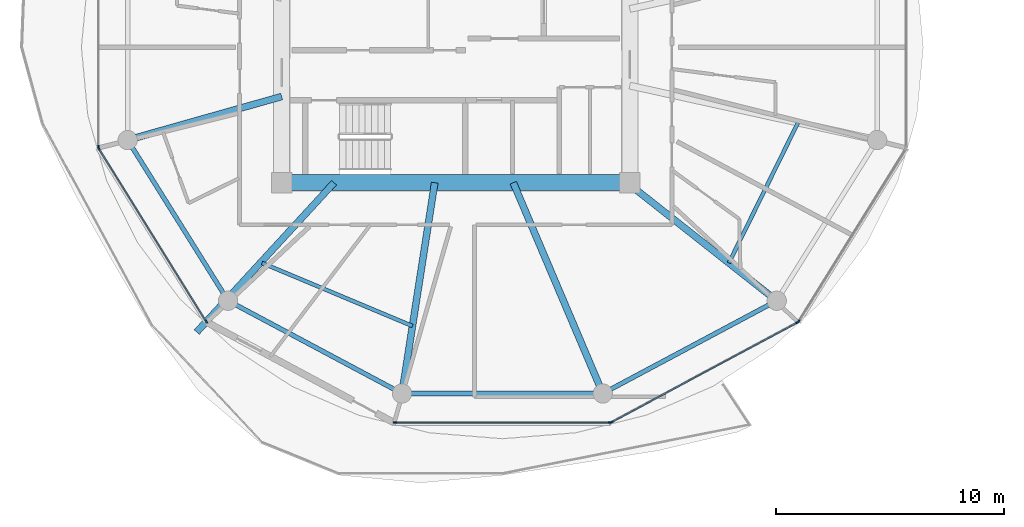
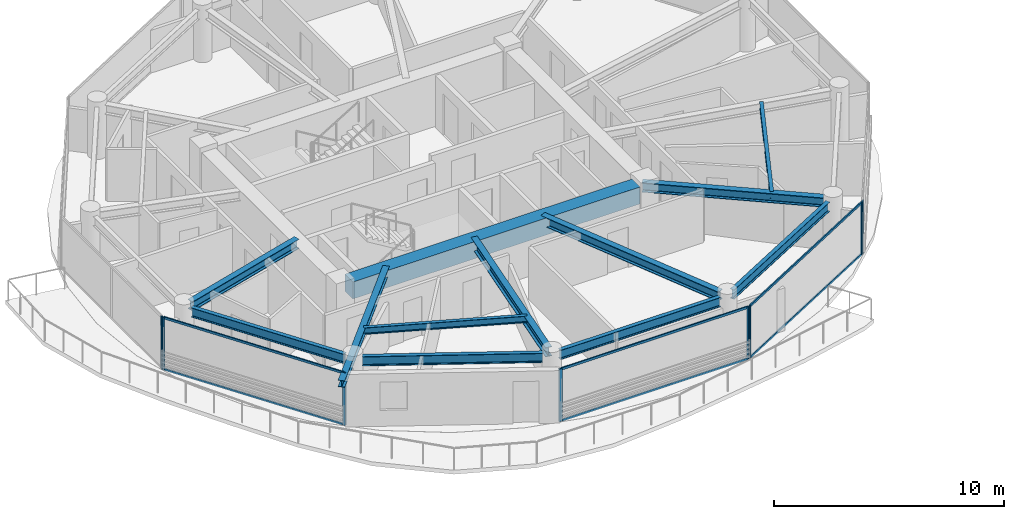
# One storey, part 2 of 24: 14 members, 12 beams, 5 elements without a shape of their own.
"""IFC4 building model written with IfcOpenShell, lengths in metres."""

from ifc_helpers import new_model, si_unit, direction, frame, origin, origin_2d, place, context, subcontext, project, spatial, rectangle, i_section, extrude, source, transform, mapped, material, layer, layer_set, material_profile, profile_set, type_object, type_shapes, element, aggregate, save


model = new_model("IFC4")

# Units and contexts
model_context = context("Model", 3, precision=1e-05, world=origin(), true_north=direction((0.0, 1.0)))
body_context = subcontext(model_context, "Body", "Model", "MODEL_VIEW")
ifc_project = project(units=[si_unit("LENGTHUNIT", "METRE"), si_unit("AREAUNIT", "SQUARE_METRE"), si_unit("VOLUMEUNIT", "CUBIC_METRE"), si_unit("PLANEANGLEUNIT", "RADIAN"), si_unit("MASSUNIT", "GRAM", prefix="KILO")], contexts=[model_context])

# Site, building, storey
site_placement = place(None, origin())
site = spatial("IfcSite", under=ifc_project, at=site_placement, CompositionType="ELEMENT")
building_placement = place(site_placement, origin())
building = spatial("IfcBuilding", under=site, at=building_placement, Name="Norrkilde Senior Care Towers", CompositionType="ELEMENT")
storey_placement = place(building_placement, frame((0.0, 0.0, 105.39990234375)))
storey = spatial("IfcBuildingStorey", under=building, at=storey_placement, Name="L32", CompositionType="ELEMENT", Elevation=105.39990234375)

# Beams
ifc_material_1 = material(Name="Concrete C60/75", Category="concrete")
ifc_material_profile_1 = material_profile(ifc_material_1, rectangle(XDim=0.699951171875, YDim=0.89990234375, at=origin_2d()), Name="RC BM 700x900")
ifc_profile_set_1 = profile_set([ifc_material_profile_1], Name="Concrete C60/75")
beam_type_1 = type_object("IfcBeamType", Name="Core Coupling Girder 700x900", PredefinedType="USERDEFINED", material=ifc_profile_set_1)
shared_shape_1 = source(origin(), body_context, "Body", "SweptSolid", [
    extrude(rectangle(XDim=0.699951171875, YDim=0.89990234375, at=origin_2d()), origin(), (0.0, 0.0, 1.0), 14.43994140625),
])
type_shapes(beam_type_1, [shared_shape_1])
beam_1_placement = place(storey_placement, frame((-35.219970703125, -5.949951171875, 2.340087890625), z_axis=(1.0, 0.0, 0.0), x_axis=(0.0, 1.0, 0.0)))
element("IfcBeam", 1, at=beam_1_placement, inside=storey, type_object=beam_type_1, Name="L32 Core W S Coupling Girder", ObjectType="GIRDER", PredefinedType="USERDEFINED", context=body_context, shape_type="MappedRepresentation", body=[
    mapped(shared_shape_1, transform((0.0, 0.0, 0.0), x_axis=(1.0, 0.0, 0.0), y_axis=(0.0, 1.0, 0.0), z_axis=(0.0, 0.0, 1.0), scale=1.0)),
])
ifc_material_2 = material(Name="Steel S355", Category="steel")
ifc_material_profile_2 = material_profile(ifc_material_2, i_section(OverallWidth=0.199951171875, OverallDepth=0.5, WebThickness=0.01025390625, FlangeThickness=0.01611328125, FilletRadius=0.02099609375, at=origin_2d()), Name="IPE 500")
ifc_profile_set_2 = profile_set([ifc_material_profile_2], Name="Steel S355")
beam_type_2 = type_object("IfcBeamType", Name="Perimeter Ring Spandrel Z2 IPE500", PredefinedType="SPANDREL", material=ifc_profile_set_2)
shared_shape_2 = source(origin(), body_context, "Body", "SweptSolid", [
    extrude(i_section(OverallWidth=0.199951171875, OverallDepth=0.5, WebThickness=0.01025390625, FlangeThickness=0.01611328125, FilletRadius=0.02099609375, at=origin_2d()), origin(), (0.0, 0.0, 1.0), 7.892333984375),
])
for number, where, z_axis, x_axis, name in (
    (2, (-37.66650390625, -11.318115234375, 2.5400390625), (0.882350372282, -0.47059305194, 0.0), (0.47059305194, 0.882350372282, 0.0), "L32 Drum W Perimeter Spandrel 08"),
    (3, (-21.197509765625, -15.0322265625, 2.5400390625), (0.882350372282, 0.47059305194, 0.0), (-0.47059305194, 0.882350372282, 0.0), "L32 Drum W Perimeter Spandrel 10"),
):
    element("IfcBeam", number, at=place(storey_placement, frame(where, z_axis=z_axis, x_axis=x_axis)), inside=storey, type_object=beam_type_2, Name=name, PredefinedType="SPANDREL", context=body_context, shape_type="MappedRepresentation", body=[
        mapped(shared_shape_2, transform((0.0, 0.0, 0.0), x_axis=(1.0, 0.0, 0.0), y_axis=(0.0, 1.0, 0.0), z_axis=(0.0, 0.0, 1.0), scale=1.0)),
    ])
ifc_material_profile_3 = material_profile(ifc_material_2, i_section(OverallWidth=0.300048828125, OverallDepth=0.5, WebThickness=0.014404296875, FlangeThickness=0.028076171875, FilletRadius=0.027099609375, at=origin_2d()), Name="HEB 500")
ifc_profile_set_3 = profile_set([ifc_material_profile_3], Name="Steel S355")
beam_type_3 = type_object("IfcBeamType", Name="Radial Floor Beam Z2 HEB500", PredefinedType="BEAM", material=ifc_profile_set_3)
shared_shape_3 = source(origin(), body_context, "Body", "SweptSolid", [
    extrude(i_section(OverallWidth=0.300048828125, OverallDepth=0.5, WebThickness=0.014404296875, FlangeThickness=0.028076171875, FilletRadius=0.027099609375, at=origin_2d()), origin(), (0.0, 0.0, 1.0), 7.985595703125),
])
beam_2_placement = place(storey_placement, frame((-20.463623046875, -5.949951171875, 2.5400390625), z_axis=(0.784858505144, -0.619675017169, 0.0), x_axis=(0.619675017169, 0.784858505144, 0.0)))
element("IfcBeam", 4, at=beam_2_placement, inside=storey, type_object=beam_type_3, Name="L32 Drum W Radial Floor Beam 11", PredefinedType="BEAM", context=body_context, shape_type="MappedRepresentation", body=[
    mapped(shared_shape_3, transform((0.0, 0.0, 0.0), x_axis=(1.0, 0.0, 0.0), y_axis=(0.0, 1.0, 0.0), z_axis=(0.0, 0.0, 1.0), scale=1.0)),
])
shared_shape_4 = source(origin(), body_context, "Body", "SweptSolid", [
    extrude(i_section(OverallWidth=0.199951171875, OverallDepth=0.5, WebThickness=0.01025390625, FlangeThickness=0.01611328125, FilletRadius=0.02099609375, at=origin_2d()), origin(), (0.0, 0.0, 1.0), 8.0556640625),
])
beam_3_placement = place(storey_placement, frame((-29.977783203125, -15.21337890625, 2.5400390625), z_axis=(1.0, 0.0, 0.0), x_axis=(0.0, 1.0, 0.0)))
element("IfcBeam", 5, at=beam_3_placement, inside=storey, type_object=beam_type_2, Name="L32 Drum W Perimeter Spandrel 09", PredefinedType="SPANDREL", context=body_context, shape_type="MappedRepresentation", body=[
    mapped(shared_shape_4, transform((0.0, 0.0, 0.0), x_axis=(1.0, 0.0, 0.0), y_axis=(0.0, 1.0, 0.0), z_axis=(0.0, 0.0, 1.0), scale=1.0)),
])
shared_shape_5 = source(origin(), body_context, "Body", "SweptSolid", [
    extrude(i_section(OverallWidth=0.300048828125, OverallDepth=0.5, WebThickness=0.014404296875, FlangeThickness=0.028076171875, FilletRadius=0.027099609375, at=origin_2d()), origin(), (0.0, 0.0, 1.0), 9.679443359375),
])
beam_4_placement = place(storey_placement, frame((-25.472412109375, -5.949951171875, 2.5400390625), z_axis=(0.390998033479, -0.920391513333, 0.0), x_axis=(0.920391513333, 0.390998033479, 0.0)))
element("IfcBeam", 6, at=beam_4_placement, inside=storey, type_object=beam_type_3, Name="L32 Drum W Radial Floor Beam 10", PredefinedType="BEAM", context=body_context, shape_type="MappedRepresentation", body=[
    mapped(shared_shape_5, transform((0.0, 0.0, 0.0), x_axis=(1.0, 0.0, 0.0), y_axis=(0.0, 1.0, 0.0), z_axis=(0.0, 0.0, 1.0), scale=1.0)),
])
shared_shape_6 = source(origin(), body_context, "Body", "SweptSolid", [
    extrude(i_section(OverallWidth=0.300048828125, OverallDepth=0.5, WebThickness=0.014404296875, FlangeThickness=0.028076171875, FilletRadius=0.027099609375, at=origin_2d()), origin(), (0.0, 0.0, 1.0), 8.989501953125),
])
beam_5_placement = place(storey_placement, frame((-28.924072265625, -5.949951171875, 2.5400390625), z_axis=(-0.153471298636, -0.988153105796, 0.0), x_axis=(0.988153105796, -0.153471298636, 0.0)))
element("IfcBeam", 7, at=beam_5_placement, inside=storey, type_object=beam_type_3, Name="L32 Drum W Radial Floor Beam 09", PredefinedType="BEAM", context=body_context, shape_type="MappedRepresentation", body=[
    mapped(shared_shape_6, transform((0.0, 0.0, 0.0), x_axis=(1.0, 0.0, 0.0), y_axis=(0.0, 1.0, 0.0), z_axis=(0.0, 0.0, 1.0), scale=1.0)),
])
shared_shape_7 = source(origin(), body_context, "Body", "SweptSolid", [
    extrude(i_section(OverallWidth=0.199951171875, OverallDepth=0.5, WebThickness=0.01025390625, FlangeThickness=0.01611328125, FilletRadius=0.02099609375, at=origin_2d()), origin(), (0.0, 0.0, 1.0), 7.556396484375),
])
type_shapes(beam_type_2, [shared_shape_2, shared_shape_4, shared_shape_7])
beam_6_placement = place(storey_placement, frame((-42.215087890625, -4.40283203125, 2.5400390625), z_axis=(0.530004748437, -0.847994673706, 0.0), x_axis=(0.847994673706, 0.530004748437, 0.0)))
element("IfcBeam", 8, at=beam_6_placement, inside=storey, type_object=beam_type_2, Name="L32 Drum W Perimeter Spandrel 07", PredefinedType="SPANDREL", context=body_context, shape_type="MappedRepresentation", body=[
    mapped(shared_shape_7, transform((0.0, 0.0, 0.0), x_axis=(1.0, 0.0, 0.0), y_axis=(0.0, 1.0, 0.0), z_axis=(0.0, 0.0, 1.0), scale=1.0)),
])
shared_shape_8 = source(origin(), body_context, "Body", "SweptSolid", [
    extrude(i_section(OverallWidth=0.300048828125, OverallDepth=0.5, WebThickness=0.014404296875, FlangeThickness=0.028076171875, FilletRadius=0.027099609375, at=origin_2d()), origin(), (0.0, 0.0, 1.0), 6.6494140625),
])
type_shapes(beam_type_3, [shared_shape_3, shared_shape_5, shared_shape_6, shared_shape_8])
beam_7_placement = place(storey_placement, frame((-35.64990234375, -2.162841796875, 2.5400390625), z_axis=(-0.962289138357, -0.27202870106, 0.0), x_axis=(0.27202870106, -0.962289138357, 0.0)))
element("IfcBeam", 9, at=beam_7_placement, inside=storey, type_object=beam_type_3, Name="L32 Drum W Radial Floor Beam 07", PredefinedType="BEAM", context=body_context, shape_type="MappedRepresentation", body=[
    mapped(shared_shape_8, transform((0.0, 0.0, 0.0), x_axis=(1.0, 0.0, 0.0), y_axis=(0.0, 1.0, 0.0), z_axis=(0.0, 0.0, 1.0), scale=1.0)),
])
ifc_material_profile_4 = material_profile(ifc_material_2, i_section(OverallWidth=0.169921875, OverallDepth=0.360107421875, WebThickness=0.008056640625, FlangeThickness=0.0126953125, FilletRadius=0.01806640625, at=origin_2d()), Name="IPE 360")
ifc_profile_set_4 = profile_set([ifc_material_profile_4], Name="Steel S355")
beam_type_4 = type_object("IfcBeamType", Name="Secondary Floor Joist IPE360", PredefinedType="JOIST", material=ifc_profile_set_4)
shared_shape_9 = source(origin(), body_context, "Body", "SweptSolid", [
    extrude(i_section(OverallWidth=0.169921875, OverallDepth=0.360107421875, WebThickness=0.008056640625, FlangeThickness=0.0126953125, FilletRadius=0.01806640625, at=origin_2d()), origin(), (0.0, 0.0, 1.0), 7.169921875),
])
beam_8_placement = place(storey_placement, frame((-36.514892578125, -9.47705078125, 2.610107421875), z_axis=(0.922240600393, -0.386616444279, 0.0), x_axis=(0.386616444279, 0.922240600393, 0.0)))
element("IfcBeam", 10, at=beam_8_placement, inside=storey, type_object=beam_type_4, Name="L32 Drum W Secondary Floor Joist 3", PredefinedType="JOIST", context=body_context, shape_type="MappedRepresentation", body=[
    mapped(shared_shape_9, transform((0.0, 0.0, 0.0), x_axis=(1.0, 0.0, 0.0), y_axis=(0.0, 1.0, 0.0), z_axis=(0.0, 0.0, 1.0), scale=1.0)),
])
shared_shape_10 = source(origin(), body_context, "Body", "SweptSolid", [
    extrude(i_section(OverallWidth=0.169921875, OverallDepth=0.360107421875, WebThickness=0.008056640625, FlangeThickness=0.0126953125, FilletRadius=0.01806640625, at=origin_2d()), origin(), (0.0, 0.0, 1.0), 6.87353515625),
])
type_shapes(beam_type_4, [shared_shape_9, shared_shape_10])
beam_9_placement = place(storey_placement, frame((-15.99609375, -9.47705078125, 2.610107421875), z_axis=(0.44184939592, 0.897089243791, 0.0), x_axis=(-0.897089243791, 0.44184939592, 0.0)))
element("IfcBeam", 11, at=beam_9_placement, inside=storey, type_object=beam_type_4, Name="L32 Drum W Secondary Floor Joist 4", PredefinedType="JOIST", context=body_context, shape_type="MappedRepresentation", body=[
    mapped(shared_shape_10, transform((0.0, 0.0, 0.0), x_axis=(1.0, 0.0, 0.0), y_axis=(0.0, 1.0, 0.0), z_axis=(0.0, 0.0, 1.0), scale=1.0)),
])
ifc_material_profile_5 = material_profile(ifc_material_2, i_section(OverallWidth=0.300048828125, OverallDepth=0.360107421875, WebThickness=0.012451171875, FlangeThickness=0.0224609375, FilletRadius=0.027099609375, at=origin_2d()), Name="HEB 360")
ifc_profile_set_5 = profile_set([ifc_material_profile_5], Name="Steel S355")
beam_type_5 = type_object("IfcBeamType", Name="Balcony Crest Cantilever Rib HEB360", PredefinedType="BEAM", material=ifc_profile_set_5)
shared_shape_11 = source(origin(), body_context, "Body", "SweptSolid", [
    extrude(i_section(OverallWidth=0.300048828125, OverallDepth=0.360107421875, WebThickness=0.012451171875, FlangeThickness=0.0224609375, FilletRadius=0.027099609375, at=origin_2d()), origin(), (0.0, 0.0, 1.0), 8.9208984375),
])
type_shapes(beam_type_5, [shared_shape_11])
beam_10_placement = place(storey_placement, frame((-33.345947265625, -5.949951171875, 2.610107421875), z_axis=(-0.67696047822, -0.736019368582, 0.0), x_axis=(0.736019368582, -0.67696047822, 0.0)))
element("IfcBeam", 12, at=beam_10_placement, inside=storey, type_object=beam_type_5, Name="L32 Drum W Balcony Cantilever Rib", PredefinedType="BEAM", context=body_context, shape_type="MappedRepresentation", body=[
    mapped(shared_shape_11, transform((0.0, 0.0, 0.0), x_axis=(1.0, 0.0, 0.0), y_axis=(0.0, 1.0, 0.0), z_axis=(0.0, 0.0, 1.0), scale=1.0)),
])

# Curtain wall, member
ifc_material_3 = material(Name="Triple Low-E Insulated Glazing", Category="glass")
ifc_layer = layer(ifc_material_3, 0.195068359375)
ifc_layer_set = layer_set([ifc_layer], Name="Triple Low-E Insulated Glazing")
curtain_wall_type = type_object("IfcCurtainWallType", Name="CW3 Zone 2 Assisted Living Curtain Wall", PredefinedType="NOTDEFINED", material=ifc_layer_set)
curtain_wall_1_placement = place(storey_placement, origin())
curtain_wall_1 = element("IfcCurtainWall", 13, at=curtain_wall_1_placement, inside=storey, type_object=curtain_wall_type, Name="L32 Drum W Curtain Wall 05", PredefinedType="NOTDEFINED")
ifc_material_4 = material(Name="Anodised Aluminium", Category="aluminium")
ifc_material_profile_6 = material_profile(ifc_material_4, rectangle(XDim=0.06494140625, YDim=0.159912109375, at=origin_2d()), Name="ALU MULL 65x160")
ifc_profile_set_6 = profile_set([ifc_material_profile_6], Name="Anodised Aluminium")
member_type_1 = type_object("IfcMemberType", Name="Curtain Wall Mullion Z1-Z2 65x160", PredefinedType="MULLION", material=ifc_profile_set_6)
shared_shape_12 = source(origin(), body_context, "Body", "SweptSolid", [
    extrude(rectangle(XDim=0.06494140625, YDim=0.159912109375, at=origin_2d()), origin(), (0.0, 0.0, 1.0), 2.7900390625),
])
type_shapes(member_type_1, [shared_shape_12])
member_1_placement = place(storey_placement, frame((-43.70361328125, -4.38818359375, 0.0), z_axis=(0.0, 0.0, 1.0), x_axis=(-1.0, 0.0, 0.0)))
member_1 = element("IfcMember", 14, at=member_1_placement, type_object=member_type_1, Name="CW-3 mullion 1", PredefinedType="MULLION", context=body_context, shape_type="MappedRepresentation", body=[
    mapped(shared_shape_12, transform((0.0, 0.0, 0.0), x_axis=(1.0, 0.0, 0.0), y_axis=(0.0, 1.0, 0.0), z_axis=(0.0, 0.0, 1.0), scale=1.0)),
])
aggregate(curtain_wall_1, [member_1])

# Curtain wall, members
curtain_wall_2_placement = place(storey_placement, origin())
curtain_wall_2 = element("IfcCurtainWall", 15, at=curtain_wall_2_placement, inside=storey, type_object=curtain_wall_type, Name="L32 Drum W Curtain Wall 06", PredefinedType="NOTDEFINED")
member_2_placement = place(storey_placement, frame((-38.9638671875, -12.0498046875, 0.0), z_axis=(0.0, 0.0, 1.0), x_axis=(-0.849410171862, -0.527733228002, 0.0)))
member_2 = element("IfcMember", 16, at=member_2_placement, type_object=member_type_1, Name="CW-3 mullion 1", PredefinedType="MULLION", context=body_context, shape_type="MappedRepresentation", body=[
    mapped(shared_shape_12, transform((0.0, 0.0, 0.0), x_axis=(1.0, 0.0, 0.0), y_axis=(0.0, 1.0, 0.0), z_axis=(0.0, 0.0, 1.0), scale=1.0)),
])
member_3_placement = place(storey_placement, frame((-43.6865234375, -4.4482421875, 0.0), z_axis=(0.0, 0.0, 1.0), x_axis=(-0.849410171862, -0.527733228002, 0.0)))
member_3 = element("IfcMember", 17, at=member_3_placement, type_object=member_type_1, Name="CW-3 mullion 2", PredefinedType="MULLION", context=body_context, shape_type="MappedRepresentation", body=[
    mapped(shared_shape_12, transform((0.0, 0.0, 0.0), x_axis=(1.0, 0.0, 0.0), y_axis=(0.0, 1.0, 0.0), z_axis=(0.0, 0.0, 1.0), scale=1.0)),
])

curtain_wall_3_placement = place(storey_placement, origin())
curtain_wall_3 = element("IfcCurtainWall", 18, at=curtain_wall_3_placement, inside=storey, type_object=curtain_wall_type, Name="L32 Drum W Curtain Wall 08", PredefinedType="NOTDEFINED")
member_4_placement = place(storey_placement, frame((-21.225341796875, -16.498046875, 0.0), z_axis=(0.0, 0.0, 1.0), x_axis=(0.0, -1.0, 0.0)))
member_4 = element("IfcMember", 19, at=member_4_placement, type_object=member_type_1, Name="CW-3 mullion 1", PredefinedType="MULLION", context=body_context, shape_type="MappedRepresentation", body=[
    mapped(shared_shape_12, transform((0.0, 0.0, 0.0), x_axis=(1.0, 0.0, 0.0), y_axis=(0.0, 1.0, 0.0), z_axis=(0.0, 0.0, 1.0), scale=1.0)),
])
member_5_placement = place(storey_placement, frame((-30.674560546875, -16.498046875, 0.0), z_axis=(0.0, 0.0, 1.0), x_axis=(0.0, -1.0, 0.0)))
member_5 = element("IfcMember", 20, at=member_5_placement, type_object=member_type_1, Name="CW-3 mullion 2", PredefinedType="MULLION", context=body_context, shape_type="MappedRepresentation", body=[
    mapped(shared_shape_12, transform((0.0, 0.0, 0.0), x_axis=(1.0, 0.0, 0.0), y_axis=(0.0, 1.0, 0.0), z_axis=(0.0, 0.0, 1.0), scale=1.0)),
])

curtain_wall_4_placement = place(storey_placement, origin())
curtain_wall_4 = element("IfcCurtainWall", 21, at=curtain_wall_4_placement, inside=storey, type_object=curtain_wall_type, Name="L32 Drum W Curtain Wall 09", PredefinedType="NOTDEFINED")
member_6_placement = place(storey_placement, frame((-12.98193359375, -12.0927734375, 0.0), z_axis=(0.0, 0.0, 1.0), x_axis=(0.472769402511, -0.881186184668, 0.0)))
member_6 = element("IfcMember", 22, at=member_6_placement, type_object=member_type_1, Name="CW-3 mullion 1", PredefinedType="MULLION", context=body_context, shape_type="MappedRepresentation", body=[
    mapped(shared_shape_12, transform((0.0, 0.0, 0.0), x_axis=(1.0, 0.0, 0.0), y_axis=(0.0, 1.0, 0.0), z_axis=(0.0, 0.0, 1.0), scale=1.0)),
])
member_7_placement = place(storey_placement, frame((-21.164306640625, -16.482666015625, 0.0), z_axis=(0.0, 0.0, 1.0), x_axis=(0.472769402511, -0.881186184668, 0.0)))
member_7 = element("IfcMember", 23, at=member_7_placement, type_object=member_type_1, Name="CW-3 mullion 2", PredefinedType="MULLION", context=body_context, shape_type="MappedRepresentation", body=[
    mapped(shared_shape_12, transform((0.0, 0.0, 0.0), x_axis=(1.0, 0.0, 0.0), y_axis=(0.0, 1.0, 0.0), z_axis=(0.0, 0.0, 1.0), scale=1.0)),
])

# Curtain wall, member
curtain_wall_5_placement = place(storey_placement, origin())
curtain_wall_5 = element("IfcCurtainWall", 24, at=curtain_wall_5_placement, inside=storey, type_object=curtain_wall_type, Name="L32 Drum W Curtain Wall 10", PredefinedType="NOTDEFINED")
member_8_placement = place(storey_placement, frame((-12.936279296875, -12.0498046875, 0.0), z_axis=(0.0, 0.0, 1.0), x_axis=(0.849410171862, -0.527733228002, 0.0)))
member_8 = element("IfcMember", 25, at=member_8_placement, type_object=member_type_1, Name="CW-3 mullion 2", PredefinedType="MULLION", context=body_context, shape_type="MappedRepresentation", body=[
    mapped(shared_shape_12, transform((0.0, 0.0, 0.0), x_axis=(1.0, 0.0, 0.0), y_axis=(0.0, 1.0, 0.0), z_axis=(0.0, 0.0, 1.0), scale=1.0)),
])
aggregate(curtain_wall_5, [member_8])

# Member
ifc_material_profile_7 = material_profile(ifc_material_4, rectangle(XDim=0.06005859375, YDim=0.1201171875, at=origin_2d()), Name="ALU TRAN 60x120")
ifc_profile_set_7 = profile_set([ifc_material_profile_7], Name="Anodised Aluminium")
member_type_2 = type_object("IfcMemberType", Name="Curtain Wall Transom Typical 60x120", PredefinedType="USERDEFINED", material=ifc_profile_set_7)
shared_shape_13 = source(origin(), body_context, "Body", "SweptSolid", [
    extrude(rectangle(XDim=0.06005859375, YDim=0.1201171875, at=origin_2d()), origin(), (0.0, 0.0, 1.0), 8.88427734375),
])
member_9_placement = place(storey_placement, frame((-38.98095703125, -12.022216796875, 0.030029296875), z_axis=(-0.527729466743, 0.849412508697, 0.0), x_axis=(-0.849412508697, -0.527729466743, 0.0)))
member_9 = element("IfcMember", 26, at=member_9_placement, type_object=member_type_2, Name="CW-3 transom 1.1", ObjectType="TRANSOM", PredefinedType="USERDEFINED", context=body_context, shape_type="MappedRepresentation", body=[
    mapped(shared_shape_13, transform((0.0, 0.0, 0.0), x_axis=(1.0, 0.0, 0.0), y_axis=(0.0, 1.0, 0.0), z_axis=(0.0, 0.0, 1.0), scale=1.0)),
])

member_10_placement = place(storey_placement, frame((-38.98095703125, -12.022216796875, 2.760009765625), z_axis=(-0.527729466743, 0.849412508697, 0.0), x_axis=(-0.849412508697, -0.527729466743, 0.0)))
member_10 = element("IfcMember", 27, at=member_10_placement, type_object=member_type_2, Name="CW-3 transom 1.2", ObjectType="TRANSOM", PredefinedType="USERDEFINED", context=body_context, shape_type="MappedRepresentation", body=[
    mapped(shared_shape_13, transform((0.0, 0.0, 0.0), x_axis=(1.0, 0.0, 0.0), y_axis=(0.0, 1.0, 0.0), z_axis=(0.0, 0.0, 1.0), scale=1.0)),
])

aggregate(curtain_wall_2, [member_2, member_3, member_9, member_10])

shared_shape_14 = source(origin(), body_context, "Body", "SweptSolid", [
    extrude(rectangle(XDim=0.06005859375, YDim=0.1201171875, at=origin_2d()), origin(), (0.0, 0.0, 1.0), 9.220458984375),
])
member_11_placement = place(storey_placement, frame((-13.0107421875, -12.108154296875, 0.030029296875), z_axis=(-0.881188517866, -0.472765053681, 0.0), x_axis=(0.472765053681, -0.881188517866, 0.0)))
member_11 = element("IfcMember", 28, at=member_11_placement, type_object=member_type_2, Name="CW-3 transom 1.1", ObjectType="TRANSOM", PredefinedType="USERDEFINED", context=body_context, shape_type="MappedRepresentation", body=[
    mapped(shared_shape_14, transform((0.0, 0.0, 0.0), x_axis=(1.0, 0.0, 0.0), y_axis=(0.0, 1.0, 0.0), z_axis=(0.0, 0.0, 1.0), scale=1.0)),
])

member_12_placement = place(storey_placement, frame((-13.0107421875, -12.108154296875, 2.760009765625), z_axis=(-0.881188517866, -0.472765053681, 0.0), x_axis=(0.472765053681, -0.881188517866, 0.0)))
member_12 = element("IfcMember", 29, at=member_12_placement, type_object=member_type_2, Name="CW-3 transom 1.2", ObjectType="TRANSOM", PredefinedType="USERDEFINED", context=body_context, shape_type="MappedRepresentation", body=[
    mapped(shared_shape_14, transform((0.0, 0.0, 0.0), x_axis=(1.0, 0.0, 0.0), y_axis=(0.0, 1.0, 0.0), z_axis=(0.0, 0.0, 1.0), scale=1.0)),
])

aggregate(curtain_wall_4, [member_6, member_7, member_11, member_12])

shared_shape_15 = source(origin(), body_context, "Body", "SweptSolid", [
    extrude(rectangle(XDim=0.06005859375, YDim=0.1201171875, at=origin_2d()), origin(), (0.0, 0.0, 1.0), 9.38427734375),
])
type_shapes(member_type_2, [shared_shape_13, shared_shape_14, shared_shape_15])
member_13_placement = place(storey_placement, frame((-21.2578125, -16.498046875, 0.030029296875), z_axis=(-1.0, 0.0, 0.0), x_axis=(0.0, -1.0, 0.0)))
member_13 = element("IfcMember", 30, at=member_13_placement, type_object=member_type_2, Name="CW-3 transom 1.1", ObjectType="TRANSOM", PredefinedType="USERDEFINED", context=body_context, shape_type="MappedRepresentation", body=[
    mapped(shared_shape_15, transform((0.0, 0.0, 0.0), x_axis=(1.0, 0.0, 0.0), y_axis=(0.0, 1.0, 0.0), z_axis=(0.0, 0.0, 1.0), scale=1.0)),
])

member_14_placement = place(storey_placement, frame((-21.2578125, -16.498046875, 2.760009765625), z_axis=(-1.0, 0.0, 0.0), x_axis=(0.0, -1.0, 0.0)))
member_14 = element("IfcMember", 31, at=member_14_placement, type_object=member_type_2, Name="CW-3 transom 1.2", ObjectType="TRANSOM", PredefinedType="USERDEFINED", context=body_context, shape_type="MappedRepresentation", body=[
    mapped(shared_shape_15, transform((0.0, 0.0, 0.0), x_axis=(1.0, 0.0, 0.0), y_axis=(0.0, 1.0, 0.0), z_axis=(0.0, 0.0, 1.0), scale=1.0)),
])

aggregate(curtain_wall_3, [member_4, member_5, member_13, member_14])

save(model, "model.ifc")
